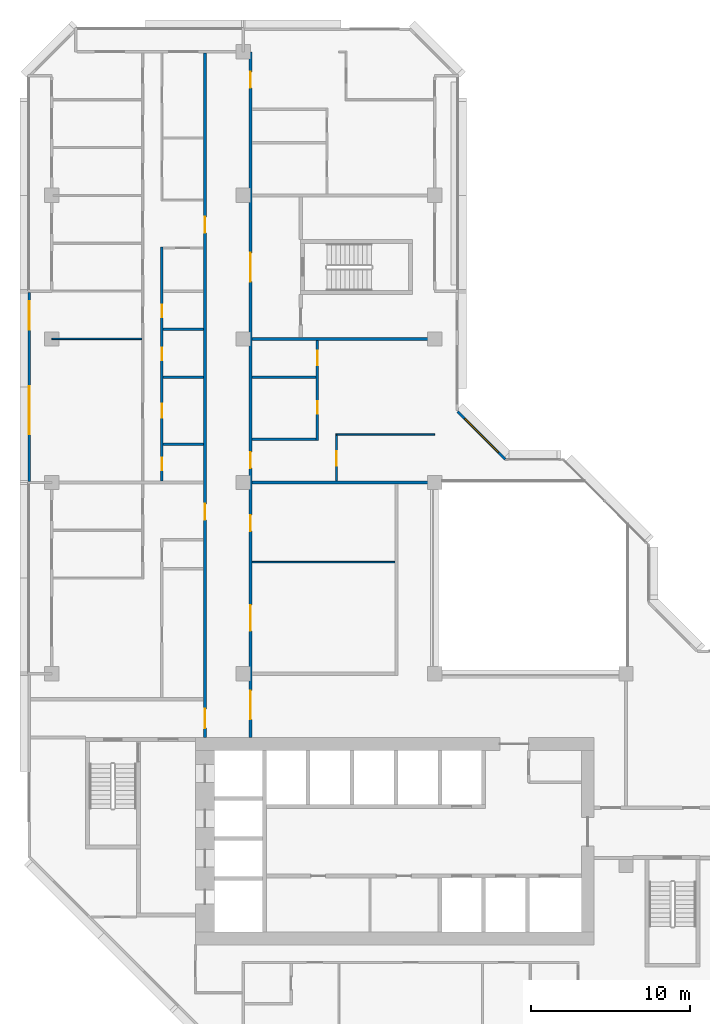
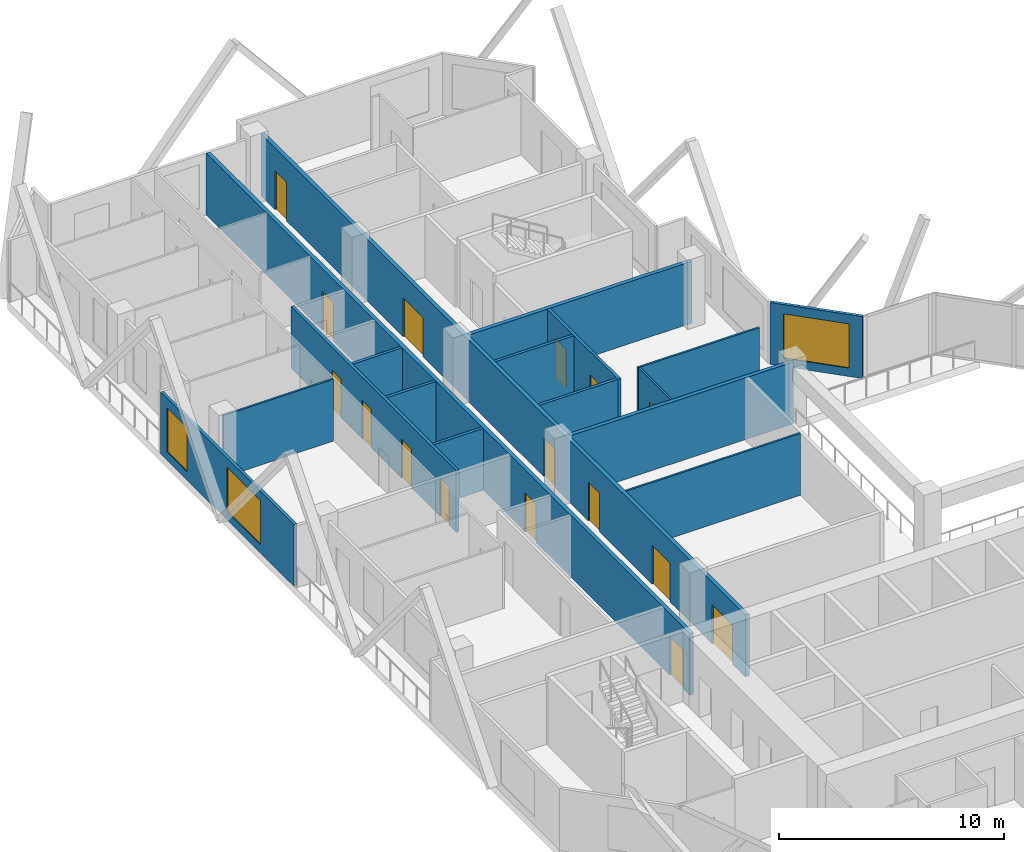
# One storey, part 9 of 15: 17 walls, 16 doors, 3 windows, 19 openings.
"""IFC4 building model written with IfcOpenShell, lengths in metres."""

from ifc_helpers import new_model, si_unit, direction, frame, frame_2d, origin, place, context, subcontext, project, spatial, rectangle, extrude, material, layer, layer_set, type_object, element, fill, save


model = new_model("IFC4")

# Units and contexts
model_context = context("Model", 3, precision=1e-05, world=origin(), true_north=direction((0.0, 1.0)))
body_context = subcontext(model_context, "Body", "Model", "MODEL_VIEW")
ifc_project = project(units=[si_unit("LENGTHUNIT", "METRE"), si_unit("AREAUNIT", "SQUARE_METRE"), si_unit("VOLUMEUNIT", "CUBIC_METRE"), si_unit("PLANEANGLEUNIT", "RADIAN"), si_unit("MASSUNIT", "GRAM", prefix="KILO")], contexts=[model_context])

# Site, building, storey
site_placement = place(None, origin())
site = spatial("IfcSite", under=ifc_project, at=site_placement, CompositionType="ELEMENT")
building_placement = place(site_placement, origin())
building = spatial("IfcBuilding", under=site, at=building_placement, Name="Chenar Terraces", CompositionType="ELEMENT")
storey_placement = place(building_placement, frame((0.0, 0.0, 187.39990234375)))
storey = spatial("IfcBuildingStorey", under=building, at=storey_placement, Name="L43", CompositionType="ELEMENT", Elevation=187.39990234375)

# Wall, openings, doors
ifc_material_1 = material(Name="Gypsum board on steel studs with fire boards", Category="steel")
ifc_layer_1 = layer(ifc_material_1, 0.199951171875)
ifc_layer_set_1 = layer_set([ifc_layer_1], Name="Gypsum board on steel studs with fire boards")
wall_type_1 = type_object("IfcWallType", Name="Corridor wall 200", PredefinedType="PARTITIONING", material=ifc_layer_set_1)
wall_1_placement = place(storey_placement, frame((9.60009765625, 20.0, 0.0), z_axis=(0.0, 0.0, 1.0), x_axis=(0.0, 1.0, 0.0)))
wall_1 = element("IfcWall", 1, at=wall_1_placement, inside=storey, type_object=wall_type_1, Name="Partition L43-029", PredefinedType="PARTITIONING", context=body_context, shape_type="SweptSolid", body=[
    extrude(rectangle(XDim=42.926025390625, YDim=0.199951171875, at=frame_2d((21.462890625, 0.0))), origin(), (0.0, 0.0, 1.0), 3.35009765625),
])
opening_1_placement = place(wall_1_placement, frame((31.64990234375, 0.0, 0.0)))
opening_1 = element("IfcOpeningElement", 2, at=opening_1_placement, cuts=wall_1, Name="Opening DL43-30", PredefinedType="OPENING", context=body_context, shape_type="SweptSolid", body=[
    extrude(rectangle(XDim=1.0, YDim=2.10009765625, at=frame_2d((0.5, 1.050048828125))), frame((0.0, 0.10986328125, 0.0), z_axis=(0.0, -1.0, 0.0), x_axis=(1.0, 0.0, 0.0)), (0.0, 0.0, 1.0), 0.219970703125),
])
opening_2_placement = place(wall_1_placement, frame((0.60009765625, 0.0, 0.0)))
opening_2 = element("IfcOpeningElement", 3, at=opening_2_placement, cuts=wall_1, Name="Opening DL43-40", PredefinedType="OPENING", context=body_context, shape_type="SweptSolid", body=[
    extrude(rectangle(XDim=1.199951171875, YDim=2.10009765625, at=frame_2d((0.60009765625, 1.050048828125))), frame((0.0, 0.10986328125, 0.0), z_axis=(0.0, -1.0, 0.0), x_axis=(1.0, 0.0, 0.0)), (0.0, 0.0, 1.0), 0.219970703125),
])
opening_3_placement = place(wall_1_placement, frame((13.64990234375, 0.0, 0.0)))
opening_3 = element("IfcOpeningElement", 4, at=opening_3_placement, cuts=wall_1, Name="Opening DL43-61", PredefinedType="OPENING", context=body_context, shape_type="SweptSolid", body=[
    extrude(rectangle(XDim=1.0, YDim=2.10009765625, at=frame_2d((0.5, 1.050048828125))), frame((0.0, 0.10986328125, 0.0), z_axis=(0.0, -1.0, 0.0), x_axis=(1.0, 0.0, 0.0)), (0.0, 0.0, 1.0), 0.219970703125),
])
ifc_material_2 = material(Name="Steel-framed fire-resisting door leaf", Category="steel")
door_type_1 = type_object("IfcDoorType", Name="Fire door FD30S 1000 x 2100", OperationType="SINGLE_SWING_LEFT", PredefinedType="DOOR", material=ifc_material_2)
door_1_placement = place(opening_1_placement, origin())
door_1 = element("IfcDoor", 5, at=door_1_placement, inside=storey, type_object=door_type_1, Name="Door DL43-30", OperationType="SINGLE_SWING_LEFT", OverallHeight=2.10009765625, OverallWidth=1.0, PredefinedType="DOOR", context=body_context, shape_type="SweptSolid", body=[
    extrude(rectangle(XDim=1.0, YDim=2.10009765625, at=frame_2d((0.5, 1.050048828125))), frame((0.0, 0.02490234375, 0.0), z_axis=(0.0, -1.0, 0.0), x_axis=(1.0, 0.0, 0.0)), (0.0, 0.0, 1.0), 0.050048828125),
])
fill(opening_1, door_1)
door_2_placement = place(opening_3_placement, origin())
door_2 = element("IfcDoor", 6, at=door_2_placement, inside=storey, type_object=door_type_1, Name="Door DL43-61", OperationType="SINGLE_SWING_LEFT", OverallHeight=2.10009765625, OverallWidth=1.0, PredefinedType="DOOR", context=body_context, shape_type="SweptSolid", body=[
    extrude(rectangle(XDim=1.0, YDim=2.10009765625, at=frame_2d((0.5, 1.050048828125))), frame((0.0, 0.02490234375, 0.0), z_axis=(0.0, -1.0, 0.0), x_axis=(1.0, 0.0, 0.0)), (0.0, 0.0, 1.0), 0.050048828125),
])
fill(opening_3, door_2)
ifc_material_3 = material(Name="Steel-framed fire-resisting door leaf", Category="steel")
door_type_2 = type_object("IfcDoorType", Name="Fire door FD30S 1200 x 2100", OperationType="SINGLE_SWING_LEFT", PredefinedType="DOOR", material=ifc_material_3)
door_3_placement = place(opening_2_placement, origin())
door_3 = element("IfcDoor", 7, at=door_3_placement, inside=storey, type_object=door_type_2, Name="Door DL43-40", OperationType="SINGLE_SWING_RIGHT", OverallHeight=2.10009765625, OverallWidth=1.199951171875, PredefinedType="DOOR", context=body_context, shape_type="SweptSolid", body=[
    extrude(rectangle(XDim=1.199951171875, YDim=2.10009765625, at=frame_2d((0.60009765625, 1.050048828125))), frame((0.0, 0.02490234375, 0.0), z_axis=(0.0, -1.0, 0.0), x_axis=(1.0, 0.0, 0.0)), (0.0, 0.0, 1.0), 0.050048828125),
])
fill(opening_2, door_3)

wall_2_placement = place(storey_placement, frame((12.449951171875, 20.0, 0.0), z_axis=(0.0, 0.0, 1.0), x_axis=(0.0, 1.0, 0.0)))
wall_2 = element("IfcWall", 8, at=wall_2_placement, inside=storey, type_object=wall_type_1, Name="Partition L43-033", PredefinedType="PARTITIONING", context=body_context, shape_type="SweptSolid", body=[
    extrude(rectangle(XDim=43.0, YDim=0.199951171875, at=frame_2d((21.5, 0.0))), origin(), (0.0, 0.0, 1.0), 3.35009765625),
])
opening_4_placement = place(wall_2_placement, frame((6.699951171875, 0.0, 0.0)))
opening_4 = element("IfcOpeningElement", 9, at=opening_4_placement, cuts=wall_2, Name="Opening DL43-1", PredefinedType="OPENING", context=body_context, shape_type="SweptSolid", body=[
    extrude(rectangle(XDim=1.60009765625, YDim=2.10009765625, at=frame_2d((0.800048828125, 1.050048828125))), frame((0.0, 0.10986328125, 0.0), z_axis=(0.0, -1.0, 0.0), x_axis=(1.0, 0.0, 0.0)), (0.0, 0.0, 1.0), 0.219970703125),
])
opening_5_placement = place(wall_2_placement, frame((12.949951171875, 0.0, 0.0)))
opening_5 = element("IfcOpeningElement", 10, at=opening_5_placement, cuts=wall_2, Name="Opening DL43-2", PredefinedType="OPENING", context=body_context, shape_type="SweptSolid", body=[
    extrude(rectangle(XDim=1.0, YDim=2.10009765625, at=frame_2d((0.5, 1.050048828125))), frame((0.0, 0.10986328125, 0.0), z_axis=(0.0, -1.0, 0.0), x_axis=(1.0, 0.0, 0.0)), (0.0, 0.0, 1.0), 0.219970703125),
])
opening_6_placement = place(wall_2_placement, frame((16.89990234375, 0.0, 0.0)))
opening_6 = element("IfcOpeningElement", 11, at=opening_6_placement, cuts=wall_2, Name="Opening DL43-18", PredefinedType="OPENING", context=body_context, shape_type="SweptSolid", body=[
    extrude(rectangle(XDim=1.0, YDim=2.10009765625, at=frame_2d((0.5, 1.050048828125))), frame((0.0, 0.10986328125, 0.0), z_axis=(0.0, -1.0, 0.0), x_axis=(1.0, 0.0, 0.0)), (0.0, 0.0, 1.0), 0.219970703125),
])
opening_7_placement = place(wall_2_placement, frame((40.75, 0.0, 0.0)))
opening_7 = element("IfcOpeningElement", 12, at=opening_7_placement, cuts=wall_2, Name="Opening DL43-22", PredefinedType="OPENING", context=body_context, shape_type="SweptSolid", body=[
    extrude(rectangle(XDim=1.0, YDim=2.10009765625, at=frame_2d((0.5, 1.050048828125))), frame((0.0, 0.10986328125, 0.0), z_axis=(0.0, -1.0, 0.0), x_axis=(1.0, 0.0, 0.0)), (0.0, 0.0, 1.0), 0.219970703125),
])
opening_8_placement = place(wall_2_placement, frame((1.14990234375, 0.0, 0.0)))
opening_8 = element("IfcOpeningElement", 13, at=opening_8_placement, cuts=wall_2, Name="Opening DL43-39", PredefinedType="OPENING", context=body_context, shape_type="SweptSolid", body=[
    extrude(rectangle(XDim=1.800048828125, YDim=2.10009765625, at=frame_2d((0.89990234375, 1.050048828125))), frame((0.0, 0.10986328125, 0.0), z_axis=(0.0, -1.0, 0.0), x_axis=(1.0, 0.0, 0.0)), (0.0, 0.0, 1.0), 0.219970703125),
])
opening_9_placement = place(wall_2_placement, frame((28.60009765625, 0.0, 0.0)))
opening_9 = element("IfcOpeningElement", 14, at=opening_9_placement, cuts=wall_2, Name="Opening DL43-41", PredefinedType="OPENING", context=body_context, shape_type="SweptSolid", body=[
    extrude(rectangle(XDim=1.800048828125, YDim=2.10009765625, at=frame_2d((0.89990234375, 1.050048828125))), frame((0.0, 0.10986328125, 0.0), z_axis=(0.0, -1.0, 0.0), x_axis=(1.0, 0.0, 0.0)), (0.0, 0.0, 1.0), 0.219970703125),
])
ifc_material_4 = material(Name="Steel-framed fire-resisting door leaf", Category="steel")
door_type_3 = type_object("IfcDoorType", Name="Fire door FD60 1000 x 2100", OperationType="SINGLE_SWING_LEFT", PredefinedType="DOOR", material=ifc_material_4)
door_4_placement = place(opening_5_placement, frame((1.0, 0.0, 0.0), z_axis=(0.0, 0.0, 1.0), x_axis=(-1.0, 0.0, 0.0)))
door_4 = element("IfcDoor", 15, at=door_4_placement, inside=storey, type_object=door_type_3, Name="Door DL43-2", OperationType="SINGLE_SWING_LEFT", OverallHeight=2.10009765625, OverallWidth=1.0, PredefinedType="DOOR", context=body_context, shape_type="SweptSolid", body=[
    extrude(rectangle(XDim=1.0, YDim=2.10009765625, at=frame_2d((0.5, 1.050048828125))), frame((0.0, 0.02490234375, 0.0), z_axis=(0.0, -1.0, 0.0), x_axis=(1.0, 0.0, 0.0)), (0.0, 0.0, 1.0), 0.050048828125),
])
fill(opening_5, door_4)
door_5_placement = place(opening_6_placement, frame((1.0, 0.0, 0.0), z_axis=(0.0, 0.0, 1.0), x_axis=(-1.0, 0.0, 0.0)))
door_5 = element("IfcDoor", 16, at=door_5_placement, inside=storey, type_object=door_type_3, Name="Door DL43-18", OperationType="SINGLE_SWING_LEFT", OverallHeight=2.10009765625, OverallWidth=1.0, PredefinedType="DOOR", context=body_context, shape_type="SweptSolid", body=[
    extrude(rectangle(XDim=1.0, YDim=2.10009765625, at=frame_2d((0.5, 1.050048828125))), frame((0.0, 0.02490234375, 0.0), z_axis=(0.0, -1.0, 0.0), x_axis=(1.0, 0.0, 0.0)), (0.0, 0.0, 1.0), 0.050048828125),
])
fill(opening_6, door_5)
door_6_placement = place(opening_7_placement, frame((1.0, 0.0, 0.0), z_axis=(0.0, 0.0, 1.0), x_axis=(-1.0, 0.0, 0.0)))
door_6 = element("IfcDoor", 17, at=door_6_placement, inside=storey, type_object=door_type_3, Name="Door DL43-22", OperationType="SINGLE_SWING_RIGHT", OverallHeight=2.10009765625, OverallWidth=1.0, PredefinedType="DOOR", context=body_context, shape_type="SweptSolid", body=[
    extrude(rectangle(XDim=1.0, YDim=2.10009765625, at=frame_2d((0.5, 1.050048828125))), frame((0.0, 0.02490234375, 0.0), z_axis=(0.0, -1.0, 0.0), x_axis=(1.0, 0.0, 0.0)), (0.0, 0.0, 1.0), 0.050048828125),
])
fill(opening_7, door_6)
ifc_material_5 = material(Name="Steel-framed fire-resisting door leaf", Category="steel")
door_type_4 = type_object("IfcDoorType", Name="Fire double door FD60 1600 x 2100", OperationType="DOUBLE_DOOR_SINGLE_SWING", PredefinedType="DOOR", material=ifc_material_5)
door_7_placement = place(opening_4_placement, frame((1.60009765625, 0.0, 0.0), z_axis=(0.0, 0.0, 1.0), x_axis=(-1.0, 0.0, 0.0)))
door_7 = element("IfcDoor", 18, at=door_7_placement, inside=storey, type_object=door_type_4, Name="Door DL43-1", OperationType="DOUBLE_DOOR_SINGLE_SWING", OverallHeight=2.10009765625, OverallWidth=1.60009765625, PredefinedType="DOOR", context=body_context, shape_type="SweptSolid", body=[
    extrude(rectangle(XDim=1.60009765625, YDim=2.10009765625, at=frame_2d((0.800048828125, 1.050048828125))), frame((0.0, 0.02490234375, 0.0), z_axis=(0.0, -1.0, 0.0), x_axis=(1.0, 0.0, 0.0)), (0.0, 0.0, 1.0), 0.050048828125),
])
fill(opening_4, door_7)
ifc_material_6 = material(Name="Steel-framed fire-resisting door leaf", Category="steel")
door_type_5 = type_object("IfcDoorType", Name="Fire double door FD60 1800 x 2100", OperationType="DOUBLE_DOOR_SINGLE_SWING", PredefinedType="DOOR", material=ifc_material_6)
door_8_placement = place(opening_8_placement, frame((1.800048828125, 0.0, 0.0), z_axis=(0.0, 0.0, 1.0), x_axis=(-1.0, 0.0, 0.0)))
door_8 = element("IfcDoor", 19, at=door_8_placement, inside=storey, type_object=door_type_5, Name="Door DL43-39", OperationType="DOUBLE_DOOR_SINGLE_SWING", OverallHeight=2.10009765625, OverallWidth=1.800048828125, PredefinedType="DOOR", context=body_context, shape_type="SweptSolid", body=[
    extrude(rectangle(XDim=1.800048828125, YDim=2.10009765625, at=frame_2d((0.89990234375, 1.050048828125))), frame((0.0, 0.02490234375, 0.0), z_axis=(0.0, -1.0, 0.0), x_axis=(1.0, 0.0, 0.0)), (0.0, 0.0, 1.0), 0.050048828125),
])
fill(opening_8, door_8)
door_9_placement = place(opening_9_placement, frame((1.800048828125, 0.0, 0.0), z_axis=(0.0, 0.0, 1.0), x_axis=(-1.0, 0.0, 0.0)))
door_9 = element("IfcDoor", 20, at=door_9_placement, inside=storey, type_object=door_type_5, Name="Door DL43-41", OperationType="DOUBLE_DOOR_SINGLE_SWING", OverallHeight=2.10009765625, OverallWidth=1.800048828125, PredefinedType="DOOR", context=body_context, shape_type="SweptSolid", body=[
    extrude(rectangle(XDim=1.800048828125, YDim=2.10009765625, at=frame_2d((0.89990234375, 1.050048828125))), frame((0.0, 0.02490234375, 0.0), z_axis=(0.0, -1.0, 0.0), x_axis=(1.0, 0.0, 0.0)), (0.0, 0.0, 1.0), 0.050048828125),
])
fill(opening_9, door_9)

# Wall, openings, windows
ifc_material_7 = material(Name="Aluminium framed glazing", Category="aluminium")
ifc_layer_2 = layer(ifc_material_7, 0.14990234375)
ifc_layer_set_2 = layer_set([ifc_layer_2], Name="Aluminium framed glazing")
wall_type_2 = type_object("IfcWallType", Name="Glazed flush facade wall 150", PredefinedType="SOLIDWALL", material=ifc_layer_set_2)
wall_3_placement = place(storey_placement, frame((-1.425048828125, 47.925048828125, 0.0), z_axis=(0.0, 0.0, 1.0), x_axis=(0.0, -1.0, 0.0)))
wall_3 = element("IfcWall", 21, at=wall_3_placement, inside=storey, type_object=wall_type_2, Name="Glazed flush facade wall", PredefinedType="SOLIDWALL", context=body_context, shape_type="SweptSolid", body=[
    extrude(rectangle(XDim=11.85009765625, YDim=0.14990234375, at=frame_2d((5.925048828125, 0.0))), origin(), (0.0, 0.0, 1.0), 3.35009765625),
])
opening_10_placement = place(wall_3_placement, frame((0.5625, 0.0, 0.449951171875)))
opening_10 = element("IfcOpeningElement", 22, at=opening_10_placement, cuts=wall_3, Name="Opening W180x240", PredefinedType="OPENING", context=body_context, shape_type="SweptSolid", body=[
    extrude(rectangle(XDim=1.800048828125, YDim=2.39990234375, at=frame_2d((0.89990234375, 1.199951171875))), frame((0.0, 0.0849609375, 0.0), z_axis=(0.0, -1.0, 0.0), x_axis=(1.0, 0.0, 0.0)), (0.0, 0.0, 1.0), 0.169921875),
])
opening_11_placement = place(wall_3_placement, frame((5.887451171875, 0.0, 0.449951171875)))
opening_11 = element("IfcOpeningElement", 23, at=opening_11_placement, cuts=wall_3, Name="Opening W300x240", PredefinedType="OPENING", context=body_context, shape_type="SweptSolid", body=[
    extrude(rectangle(XDim=3.0, YDim=2.39990234375, at=frame_2d((1.5, 1.199951171875))), frame((0.0, 0.0849609375, 0.0), z_axis=(0.0, -1.0, 0.0), x_axis=(1.0, 0.0, 0.0)), (0.0, 0.0, 1.0), 0.169921875),
])
ifc_material_8 = material(Name="Low emissivity double glazing, aluminium frame", Category="aluminium")
window_type_1 = type_object("IfcWindowType", Name="Fixed light 1800 x 2400", PartitioningType="SINGLE_PANEL", PredefinedType="WINDOW", material=ifc_material_8)
window_1_placement = place(opening_10_placement, origin())
window_1 = element("IfcWindow", 24, at=window_1_placement, inside=storey, type_object=window_type_1, Name="Window", OverallHeight=2.39990234375, OverallWidth=1.800048828125, PartitioningType="SINGLE_PANEL", PredefinedType="WINDOW", context=body_context, shape_type="SweptSolid", body=[
    extrude(rectangle(XDim=1.800048828125, YDim=2.39990234375, at=frame_2d((0.89990234375, 1.199951171875))), frame((0.0, 0.030029296875, 0.0), z_axis=(0.0, -1.0, 0.0), x_axis=(1.0, 0.0, 0.0)), (0.0, 0.0, 1.0), 0.06005859375),
])
fill(opening_10, window_1)
ifc_material_9 = material(Name="Low emissivity double glazing, aluminium frame", Category="aluminium")
window_type_2 = type_object("IfcWindowType", Name="Fixed light 3000 x 2400", PartitioningType="SINGLE_PANEL", PredefinedType="WINDOW", material=ifc_material_9)
window_2_placement = place(opening_11_placement, origin())
window_2 = element("IfcWindow", 25, at=window_2_placement, inside=storey, type_object=window_type_2, Name="Window", OverallHeight=2.39990234375, OverallWidth=3.0, PartitioningType="SINGLE_PANEL", PredefinedType="WINDOW", context=body_context, shape_type="SweptSolid", body=[
    extrude(rectangle(XDim=3.0, YDim=2.39990234375, at=frame_2d((1.5, 1.199951171875))), frame((0.0, 0.030029296875, 0.0), z_axis=(0.0, -1.0, 0.0), x_axis=(1.0, 0.0, 0.0)), (0.0, 0.0, 1.0), 0.06005859375),
])
fill(opening_11, window_2)

# Walls
ifc_material_10 = material(Name="Gypsum board on steel studs", Category="steel")
ifc_layer_3 = layer(ifc_material_10, 0.10009765625)
ifc_layer_set_3 = layer_set([ifc_layer_3], Name="Gypsum board on steel studs")
wall_type_3 = type_object("IfcWallType", Name="Gypsum partition 100", PredefinedType="PARTITIONING", material=ifc_layer_set_3)
wall_4_placement = place(storey_placement, frame((0.0, 45.0, 0.0), z_axis=(0.0, 0.0, 1.0), x_axis=(1.0, 0.0, 0.0)))
element("IfcWall", 26, at=wall_4_placement, inside=storey, type_object=wall_type_3, Name="Partition L43-004", PredefinedType="PARTITIONING", context=body_context, shape_type="SweptSolid", body=[
    extrude(rectangle(XDim=5.64990234375, YDim=0.10009765625, at=frame_2d((2.824951171875, 0.0))), origin(), (0.0, 0.0, 1.0), 3.35009765625),
])
wall_5_placement = place(storey_placement, frame((12.550048828125, 31.0, 0.0), z_axis=(0.0, 0.0, 1.0), x_axis=(1.0, 0.0, 0.0)))
element("IfcWall", 27, at=wall_5_placement, inside=storey, type_object=wall_type_3, Name="Partition L43-035", PredefinedType="PARTITIONING", context=body_context, shape_type="SweptSolid", body=[
    extrude(rectangle(XDim=8.949951171875, YDim=0.10009765625, at=frame_2d((4.47509765625, 0.0))), origin(), (0.0, 0.0, 1.0), 3.35009765625),
])
wall_6_placement = place(storey_placement, frame((17.800048828125, 39.0, 0.0), z_axis=(0.0, 0.0, 1.0), x_axis=(1.0, 0.0, 0.0)))
element("IfcWall", 28, at=wall_6_placement, inside=storey, type_object=wall_type_3, Name="Partition L43-048", PredefinedType="PARTITIONING", context=body_context, shape_type="SweptSolid", body=[
    extrude(rectangle(XDim=6.199951171875, YDim=0.10009765625, at=frame_2d((3.10009765625, 0.0))), origin(), (0.0, 0.0, 1.0), 3.35009765625),
])

# Wall, opening, door
wall_7_placement = place(storey_placement, frame((17.85009765625, 36.10009765625, 0.0), z_axis=(0.0, 0.0, 1.0), x_axis=(0.0, 1.0, 0.0)))
wall_7 = element("IfcWall", 29, at=wall_7_placement, inside=storey, type_object=wall_type_3, Name="Partition L43-049", PredefinedType="PARTITIONING", context=body_context, shape_type="SweptSolid", body=[
    extrude(rectangle(XDim=2.849853515625, YDim=0.10009765625, at=frame_2d((1.4248046875, 0.0))), origin(), (0.0, 0.0, 1.0), 3.35009765625),
])
opening_12_placement = place(wall_7_placement, frame((0.949951171875, 0.0, 0.0)))
opening_12 = element("IfcOpeningElement", 30, at=opening_12_placement, cuts=wall_7, Name="Opening DL43-16", PredefinedType="OPENING", context=body_context, shape_type="SweptSolid", body=[
    extrude(rectangle(XDim=0.89990234375, YDim=2.10009765625, at=frame_2d((0.449951171875, 1.050048828125))), frame((0.0, 0.06005859375, 0.0), z_axis=(0.0, -1.0, 0.0), x_axis=(1.0, 0.0, 0.0)), (0.0, 0.0, 1.0), 0.1201171875),
])
ifc_material_11 = material(Name="Veneered timber door leaf", Category="wood")
door_type_6 = type_object("IfcDoorType", Name="Door 900 x 2100", OperationType="SINGLE_SWING_LEFT", PredefinedType="DOOR", material=ifc_material_11)
door_10_placement = place(opening_12_placement, frame((0.89990234375, 0.0, 0.0), z_axis=(0.0, 0.0, 1.0), x_axis=(-1.0, 0.0, 0.0)))
door_10 = element("IfcDoor", 31, at=door_10_placement, inside=storey, type_object=door_type_6, Name="Door DL43-16", OperationType="SINGLE_SWING_LEFT", OverallHeight=2.10009765625, OverallWidth=0.89990234375, PredefinedType="DOOR", context=body_context, shape_type="SweptSolid", body=[
    extrude(rectangle(XDim=0.89990234375, YDim=2.10009765625, at=frame_2d((0.449951171875, 1.050048828125))), frame((0.0, 0.02490234375, 0.0), z_axis=(0.0, -1.0, 0.0), x_axis=(1.0, 0.0, 0.0)), (0.0, 0.0, 1.0), 0.050048828125),
])
fill(opening_12, door_10)

# Wall, opening, window
ifc_material_12 = material(Name="Terracotta cladding on insulated backing", Category="masonry")
ifc_layer_4 = layer(ifc_material_12, 0.14990234375)
ifc_layer_set_4 = layer_set([ifc_layer_4], Name="Terracotta cladding on insulated backing")
wall_type_4 = type_object("IfcWallType", Name="Terracotta rainscreen wall 150", PredefinedType="SOLIDWALL", material=ifc_layer_set_4)
wall_8_placement = place(storey_placement, frame((28.447021484375, 37.447021484375, 0.0), z_axis=(0.0, 0.0, 1.0), x_axis=(-0.707106781187, 0.707106781187, 0.0)))
wall_8 = element("IfcWall", 32, at=wall_8_placement, inside=storey, type_object=wall_type_4, Name="Terracotta rainscreen wall", PredefinedType="SOLIDWALL", context=body_context, shape_type="SweptSolid", body=[
    extrude(rectangle(XDim=4.24267578125, YDim=0.14990234375, at=frame_2d((2.121337890625, 0.0))), origin(), (0.0, 0.0, 1.0), 3.35009765625),
])
opening_13_placement = place(wall_8_placement, frame((0.621337890625, 0.0, 0.449951171875)))
opening_13 = element("IfcOpeningElement", 33, at=opening_13_placement, cuts=wall_8, Name="Opening W300x240", PredefinedType="OPENING", context=body_context, shape_type="SweptSolid", body=[
    extrude(rectangle(XDim=3.0, YDim=2.39990234375, at=frame_2d((1.5, 1.199951171875))), frame((0.0, 0.0849609375, 0.0), z_axis=(0.0, -1.0, 0.0), x_axis=(1.0, 0.0, 0.0)), (0.0, 0.0, 1.0), 0.169921875),
])
window_3_placement = place(opening_13_placement, origin())
window_3 = element("IfcWindow", 34, at=window_3_placement, inside=storey, type_object=window_type_2, Name="Window", OverallHeight=2.39990234375, OverallWidth=3.0, PartitioningType="SINGLE_PANEL", PredefinedType="WINDOW", context=body_context, shape_type="SweptSolid", body=[
    extrude(rectangle(XDim=3.0, YDim=2.39990234375, at=frame_2d((1.5, 1.199951171875))), frame((0.0, 0.030029296875, 0.0), z_axis=(0.0, -1.0, 0.0), x_axis=(1.0, 0.0, 0.0)), (0.0, 0.0, 1.0), 0.06005859375),
])
fill(opening_13, window_3)

# Walls
ifc_material_13 = material(Name="Twin gypsum board on steel studs with mineral wool", Category="steel")
ifc_layer_5 = layer(ifc_material_13, 0.199951171875)
ifc_layer_set_5 = layer_set([ifc_layer_5], Name="Twin gypsum board on steel studs with mineral wool")
wall_type_5 = type_object("IfcWallType", Name="Unit demising wall 200", PredefinedType="PARTITIONING", material=ifc_layer_set_5)
for number, where, z_axis, x_axis, name in (
    (35, (12.550048828125, 36.0, 0.0), (0.0, 0.0, 1.0), (1.0, 0.0, 0.0), "Partition L43-036"),
    (36, (12.550048828125, 45.0, 0.0), (0.0, 0.0, 1.0), (1.0, 0.0, 0.0), "Partition L43-039"),
):
    element("IfcWall", number, at=place(storey_placement, frame(where, z_axis=z_axis, x_axis=x_axis)), inside=storey, type_object=wall_type_5, Name=name, PredefinedType="PARTITIONING", context=body_context, shape_type="SweptSolid", body=[
        extrude(rectangle(XDim=11.449951171875, YDim=0.199951171875, at=frame_2d((5.72509765625, 0.0))), origin(), (0.0, 0.0, 1.0), 3.35009765625),
    ])

# Wall, openings, doors
ifc_material_14 = material(Name="Moisture-resistant gypsum board on steel studs", Category="steel")
ifc_layer_6 = layer(ifc_material_14, 0.14990234375)
ifc_layer_set_6 = layer_set([ifc_layer_6], Name="Moisture-resistant gypsum board on steel studs")
wall_type_6 = type_object("IfcWallType", Name="Wet-room partition 150", PredefinedType="PARTITIONING", material=ifc_layer_set_6)
wall_9_placement = place(storey_placement, frame((6.89990234375, 36.10009765625, 0.0), z_axis=(0.0, 0.0, 1.0), x_axis=(0.0, 1.0, 0.0)))
wall_9 = element("IfcWall", 37, at=wall_9_placement, inside=storey, type_object=wall_type_6, Name="Partition L43-016", PredefinedType="PARTITIONING", context=body_context, shape_type="SweptSolid", body=[
    extrude(rectangle(XDim=14.6748046875, YDim=0.14990234375, at=frame_2d((7.33740234375, 0.0))), origin(), (0.0, 0.0, 1.0), 3.35009765625),
])
opening_14_placement = place(wall_9_placement, frame((7.550048828125, 0.0, 0.0)))
opening_14 = element("IfcOpeningElement", 38, at=opening_14_placement, cuts=wall_9, Name="Opening DL43-23", PredefinedType="OPENING", context=body_context, shape_type="SweptSolid", body=[
    extrude(rectangle(XDim=0.800048828125, YDim=2.10009765625, at=frame_2d((0.39990234375, 1.050048828125))), frame((0.0, 0.0849609375, 0.0), z_axis=(0.0, -1.0, 0.0), x_axis=(1.0, 0.0, 0.0)), (0.0, 0.0, 1.0), 0.169921875),
])
opening_15_placement = place(wall_9_placement, frame((0.64990234375, 0.0, 0.0)))
opening_15 = element("IfcOpeningElement", 39, at=opening_15_placement, cuts=wall_9, Name="Opening DL43-32", PredefinedType="OPENING", context=body_context, shape_type="SweptSolid", body=[
    extrude(rectangle(XDim=0.800048828125, YDim=2.10009765625, at=frame_2d((0.39990234375, 1.050048828125))), frame((0.0, 0.0849609375, 0.0), z_axis=(0.0, -1.0, 0.0), x_axis=(1.0, 0.0, 0.0)), (0.0, 0.0, 1.0), 0.169921875),
])
opening_16_placement = place(wall_9_placement, frame((10.25, 0.0, 0.0)))
opening_16 = element("IfcOpeningElement", 40, at=opening_16_placement, cuts=wall_9, Name="Opening DL43-33", PredefinedType="OPENING", context=body_context, shape_type="SweptSolid", body=[
    extrude(rectangle(XDim=0.800048828125, YDim=2.10009765625, at=frame_2d((0.39990234375, 1.050048828125))), frame((0.0, 0.0849609375, 0.0), z_axis=(0.0, -1.0, 0.0), x_axis=(1.0, 0.0, 0.0)), (0.0, 0.0, 1.0), 0.169921875),
])
opening_17_placement = place(wall_9_placement, frame((3.949951171875, 0.0, 0.0)))
opening_17 = element("IfcOpeningElement", 41, at=opening_17_placement, cuts=wall_9, Name="Opening DL43-35", PredefinedType="OPENING", context=body_context, shape_type="SweptSolid", body=[
    extrude(rectangle(XDim=0.89990234375, YDim=2.10009765625, at=frame_2d((0.449951171875, 1.050048828125))), frame((0.0, 0.0849609375, 0.0), z_axis=(0.0, -1.0, 0.0), x_axis=(1.0, 0.0, 0.0)), (0.0, 0.0, 1.0), 0.169921875),
])
ifc_material_15 = material(Name="Veneered timber door leaf", Category="wood")
door_type_7 = type_object("IfcDoorType", Name="Door 800 x 2100", OperationType="SINGLE_SWING_LEFT", PredefinedType="DOOR", material=ifc_material_15)
door_11_placement = place(opening_14_placement, frame((0.800048828125, 0.0, 0.0), z_axis=(0.0, 0.0, 1.0), x_axis=(-1.0, 0.0, 0.0)))
door_11 = element("IfcDoor", 42, at=door_11_placement, inside=storey, type_object=door_type_7, Name="Door DL43-23", OperationType="SINGLE_SWING_RIGHT", OverallHeight=2.10009765625, OverallWidth=0.800048828125, PredefinedType="DOOR", context=body_context, shape_type="SweptSolid", body=[
    extrude(rectangle(XDim=0.800048828125, YDim=2.10009765625, at=frame_2d((0.39990234375, 1.050048828125))), frame((0.0, 0.02490234375, 0.0), z_axis=(0.0, -1.0, 0.0), x_axis=(1.0, 0.0, 0.0)), (0.0, 0.0, 1.0), 0.050048828125),
])
fill(opening_14, door_11)
door_12_placement = place(opening_15_placement, frame((0.800048828125, 0.0, 0.0), z_axis=(0.0, 0.0, 1.0), x_axis=(-1.0, 0.0, 0.0)))
door_12 = element("IfcDoor", 43, at=door_12_placement, inside=storey, type_object=door_type_7, Name="Door DL43-32", OperationType="SINGLE_SWING_RIGHT", OverallHeight=2.10009765625, OverallWidth=0.800048828125, PredefinedType="DOOR", context=body_context, shape_type="SweptSolid", body=[
    extrude(rectangle(XDim=0.800048828125, YDim=2.10009765625, at=frame_2d((0.39990234375, 1.050048828125))), frame((0.0, 0.02490234375, 0.0), z_axis=(0.0, -1.0, 0.0), x_axis=(1.0, 0.0, 0.0)), (0.0, 0.0, 1.0), 0.050048828125),
])
fill(opening_15, door_12)
door_13_placement = place(opening_16_placement, frame((0.800048828125, 0.0, 0.0), z_axis=(0.0, 0.0, 1.0), x_axis=(-1.0, 0.0, 0.0)))
door_13 = element("IfcDoor", 44, at=door_13_placement, inside=storey, type_object=door_type_7, Name="Door DL43-33", OperationType="SINGLE_SWING_RIGHT", OverallHeight=2.10009765625, OverallWidth=0.800048828125, PredefinedType="DOOR", context=body_context, shape_type="SweptSolid", body=[
    extrude(rectangle(XDim=0.800048828125, YDim=2.10009765625, at=frame_2d((0.39990234375, 1.050048828125))), frame((0.0, 0.02490234375, 0.0), z_axis=(0.0, -1.0, 0.0), x_axis=(1.0, 0.0, 0.0)), (0.0, 0.0, 1.0), 0.050048828125),
])
fill(opening_16, door_13)
door_14_placement = place(opening_17_placement, frame((0.89990234375, 0.0, 0.0), z_axis=(0.0, 0.0, 1.0), x_axis=(-1.0, 0.0, 0.0)))
door_14 = element("IfcDoor", 45, at=door_14_placement, inside=storey, type_object=door_type_6, Name="Door DL43-35", OperationType="SINGLE_SWING_LEFT", OverallHeight=2.10009765625, OverallWidth=0.89990234375, PredefinedType="DOOR", context=body_context, shape_type="SweptSolid", body=[
    extrude(rectangle(XDim=0.89990234375, YDim=2.10009765625, at=frame_2d((0.449951171875, 1.050048828125))), frame((0.0, 0.02490234375, 0.0), z_axis=(0.0, -1.0, 0.0), x_axis=(1.0, 0.0, 0.0)), (0.0, 0.0, 1.0), 0.050048828125),
])
fill(opening_17, door_14)

# Walls
for number, where, z_axis, x_axis, name in (
    (46, (6.97509765625, 38.39990234375, 0.0), (0.0, 0.0, 1.0), (1.0, 0.0, 0.0), "Partition L43-022"),
    (47, (6.97509765625, 42.60009765625, 0.0), (0.0, 0.0, 1.0), (1.0, 0.0, 0.0), "Partition L43-023"),
    (48, (6.97509765625, 45.60009765625, 0.0), (0.0, 0.0, 1.0), (1.0, 0.0, 0.0), "Partition L43-024"),
):
    element("IfcWall", number, at=place(storey_placement, frame(where, z_axis=z_axis, x_axis=x_axis)), inside=storey, type_object=wall_type_6, Name=name, PredefinedType="PARTITIONING", context=body_context, shape_type="SweptSolid", body=[
        extrude(rectangle(XDim=2.52490234375, YDim=0.14990234375, at=frame_2d((1.262451171875, 0.0))), origin(), (0.0, 0.0, 1.0), 3.35009765625),
    ])
for number, where, z_axis, x_axis, name in (
    (49, (12.550048828125, 38.699951171875, 0.0), (0.0, 0.0, 1.0), (1.0, 0.0, 0.0), "Partition L43-037"),
    (50, (12.550048828125, 42.60009765625, 0.0), (0.0, 0.0, 1.0), (1.0, 0.0, 0.0), "Partition L43-038"),
):
    element("IfcWall", number, at=place(storey_placement, frame(where, z_axis=z_axis, x_axis=x_axis)), inside=storey, type_object=wall_type_6, Name=name, PredefinedType="PARTITIONING", context=body_context, shape_type="SweptSolid", body=[
        extrude(rectangle(XDim=4.02490234375, YDim=0.14990234375, at=frame_2d((2.012451171875, 0.0))), origin(), (0.0, 0.0, 1.0), 3.35009765625),
    ])

# Wall, openings, doors
wall_10_placement = place(storey_placement, frame((16.64990234375, 38.625, 0.0), z_axis=(0.0, 0.0, 1.0), x_axis=(0.0, 1.0, 0.0)))
wall_10 = element("IfcWall", 51, at=wall_10_placement, inside=storey, type_object=wall_type_6, Name="Partition L43-046", PredefinedType="PARTITIONING", context=body_context, shape_type="SweptSolid", body=[
    extrude(rectangle(XDim=6.27490234375, YDim=0.14990234375, at=frame_2d((3.137451171875, 0.0))), origin(), (0.0, 0.0, 1.0), 3.35009765625),
])
opening_18_placement = place(wall_10_placement, frame((1.675048828125, 0.0, 0.0)))
opening_18 = element("IfcOpeningElement", 52, at=opening_18_placement, cuts=wall_10, Name="Opening DL43-15", PredefinedType="OPENING", context=body_context, shape_type="SweptSolid", body=[
    extrude(rectangle(XDim=0.800048828125, YDim=2.10009765625, at=frame_2d((0.39990234375, 1.050048828125))), frame((0.0, 0.0849609375, 0.0), z_axis=(0.0, -1.0, 0.0), x_axis=(1.0, 0.0, 0.0)), (0.0, 0.0, 1.0), 0.169921875),
])
opening_19_placement = place(wall_10_placement, frame((4.72509765625, 0.0, 0.0)))
opening_19 = element("IfcOpeningElement", 53, at=opening_19_placement, cuts=wall_10, Name="Opening DL43-17", PredefinedType="OPENING", context=body_context, shape_type="SweptSolid", body=[
    extrude(rectangle(XDim=0.89990234375, YDim=2.10009765625, at=frame_2d((0.449951171875, 1.050048828125))), frame((0.0, 0.0849609375, 0.0), z_axis=(0.0, -1.0, 0.0), x_axis=(1.0, 0.0, 0.0)), (0.0, 0.0, 1.0), 0.169921875),
])
door_15_placement = place(opening_18_placement, origin())
door_15 = element("IfcDoor", 54, at=door_15_placement, inside=storey, type_object=door_type_7, Name="Door DL43-15", OperationType="SINGLE_SWING_RIGHT", OverallHeight=2.10009765625, OverallWidth=0.800048828125, PredefinedType="DOOR", context=body_context, shape_type="SweptSolid", body=[
    extrude(rectangle(XDim=0.800048828125, YDim=2.10009765625, at=frame_2d((0.39990234375, 1.050048828125))), frame((0.0, 0.02490234375, 0.0), z_axis=(0.0, -1.0, 0.0), x_axis=(1.0, 0.0, 0.0)), (0.0, 0.0, 1.0), 0.050048828125),
])
fill(opening_18, door_15)
door_16_placement = place(opening_19_placement, origin())
door_16 = element("IfcDoor", 55, at=door_16_placement, inside=storey, type_object=door_type_6, Name="Door DL43-17", OperationType="SINGLE_SWING_LEFT", OverallHeight=2.10009765625, OverallWidth=0.89990234375, PredefinedType="DOOR", context=body_context, shape_type="SweptSolid", body=[
    extrude(rectangle(XDim=0.89990234375, YDim=2.10009765625, at=frame_2d((0.449951171875, 1.050048828125))), frame((0.0, 0.02490234375, 0.0), z_axis=(0.0, -1.0, 0.0), x_axis=(1.0, 0.0, 0.0)), (0.0, 0.0, 1.0), 0.050048828125),
])
fill(opening_19, door_16)

save(model, "model.ifc")
